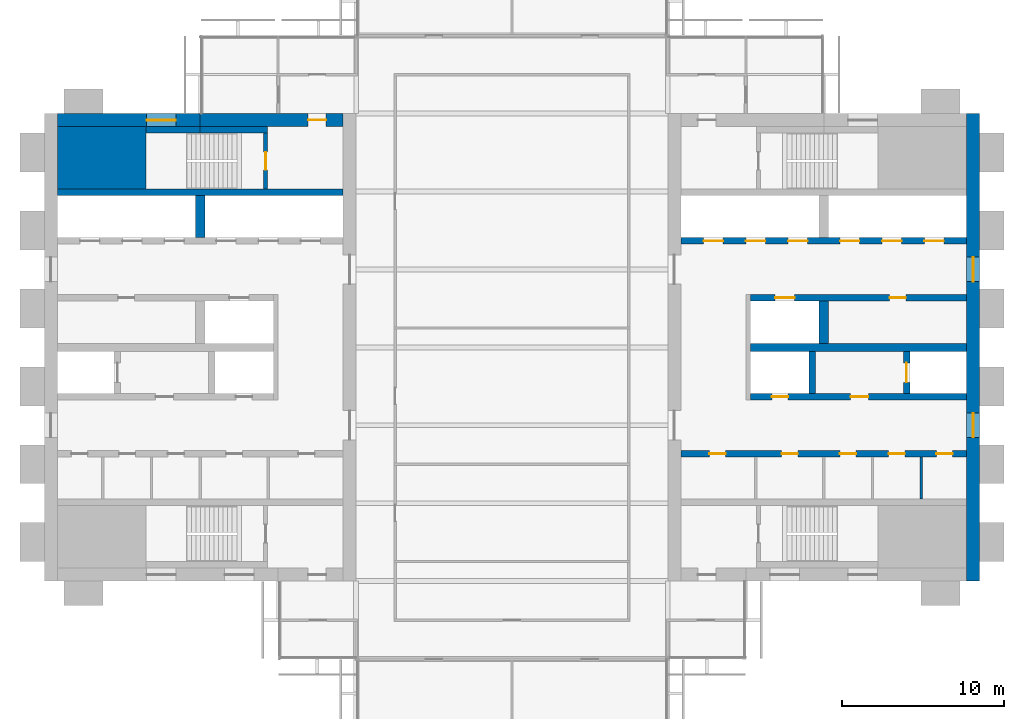
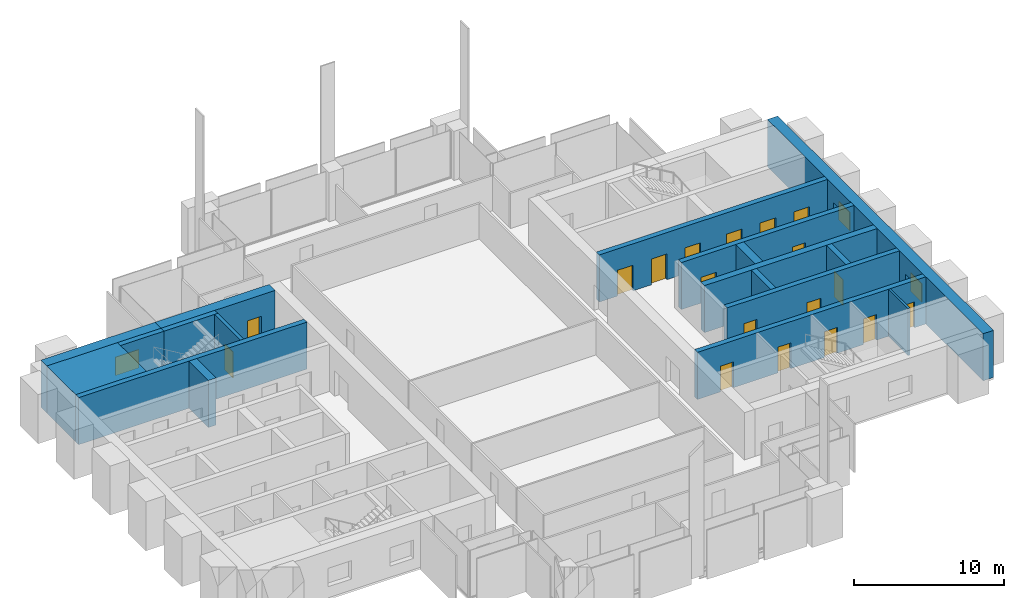
# One storey, part 10 of 13: 18 doors, 18 walls, 3 windows, 21 openings.
"""IFC4 building model written with IfcOpenShell, lengths in metres."""

import ifcopenshell
import ifcopenshell.guid

model = None  # the IFC model being written
_history = None  # IfcOwnerHistory: only IFC2X3 demands one
_inside = {}  # id of a spatial element -> (the spatial element, [elements in it])
_under = {}  # id of a project, library or spatial element -> (it, [spatial elements below it])
_declared = {}  # id of a project -> (the project, [libraries it declares])
_typed = {}  # id of a type object -> (the type object, [elements of that type])
_made_of = {}  # id of a material, layer set ... -> (it, [elements and type objects made of it])


def new_model(schema):
    """Start an empty IFC model of exactly this schema.

    Asked for "IFC4X3", IfcOpenShell would pick the latest addendum, in which some entities
    have other attributes; the version numbers below select the first issue.
    IFC2X3 requires an IfcOwnerHistory on every rooted entity: one is made here for all.
    """
    global model, _history
    if schema == "IFC4X3":
        model = ifcopenshell.file(schema_version=(4, 3, 0, 0))
    else:
        model = ifcopenshell.file(schema=schema)
    _inside.clear()
    _under.clear()
    _declared.clear()
    _typed.clear()
    _made_of.clear()
    _history = None
    if model.schema == "IFC2X3":
        org = make("IfcOrganization", Name="unknown")
        user = make(
            "IfcPersonAndOrganization",
            ThePerson=make("IfcPerson", FamilyName="unknown"),
            TheOrganization=org,
        )
        app = make(
            "IfcApplication",
            ApplicationDeveloper=org,
            Version="unknown",
            ApplicationFullName="unknown",
            ApplicationIdentifier="unknown",
        )
        _history = make(
            "IfcOwnerHistory",
            OwningUser=user,
            OwningApplication=app,
            ChangeAction="ADDED",
            CreationDate=0,
        )
    return model


def make(cls, **values):
    """One entity of the class cls with the attributes given. An attribute that is None is left unset."""
    return model.create_entity(
        cls, **{name: value for name, value in values.items() if value is not None}
    )


def rooted(cls, **values):
    """An entity with a GlobalId (a new one), such as an element, a storey or a relation."""
    return make(cls, GlobalId=ifcopenshell.guid.new(), OwnerHistory=_history, **values)


def si_unit(unit_type, name, prefix=None):
    """IfcSIUnit, for example si_unit("LENGTHUNIT", "METRE", prefix="MILLI")."""
    return make("IfcSIUnit", UnitType=unit_type, Prefix=prefix, Name=name)


def assignment(units):
    """IfcUnitAssignment: the units of a project."""
    return None if units is None else make("IfcUnitAssignment", Units=units)


def point(xyz):
    """IfcCartesianPoint."""
    return None if xyz is None else make("IfcCartesianPoint", Coordinates=xyz)


def direction(xyz):
    """IfcDirection."""
    return None if xyz is None else make("IfcDirection", DirectionRatios=xyz)


def frame(location, z_axis=None, x_axis=None):
    """IfcAxis2Placement3D, a coordinate frame: its origin and axes. An axis left out is left unset."""
    return make(
        "IfcAxis2Placement3D",
        Location=point(location),
        Axis=direction(z_axis),
        RefDirection=direction(x_axis),
    )


def frame_2d(location, x_axis=None):
    """IfcAxis2Placement2D, a coordinate frame in the plane: its origin and x axis."""
    return make(
        "IfcAxis2Placement2D", Location=point(location), RefDirection=direction(x_axis)
    )


def origin():
    """The frame at (0, 0, 0) with its axes left unset."""
    return frame((0.0, 0.0, 0.0))


def place(relative_to, where):
    """IfcLocalPlacement: puts the frame where relative to a parent placement (None: the world)."""
    return make(
        "IfcLocalPlacement", PlacementRelTo=relative_to, RelativePlacement=where
    )


def context(
    kind, dimensions, precision=None, world=None, true_north=None, identifier=None
):
    """IfcGeometricRepresentationContext, for example the 3D "Model" context."""
    return make(
        "IfcGeometricRepresentationContext",
        ContextIdentifier=identifier,
        ContextType=kind,
        CoordinateSpaceDimension=dimensions,
        Precision=precision,
        WorldCoordinateSystem=world,
        TrueNorth=true_north,
    )


def subcontext(parent, identifier, kind, view, scale=None):
    """IfcGeometricRepresentationSubContext, for example "Body" below "Model"."""
    return make(
        "IfcGeometricRepresentationSubContext",
        ContextIdentifier=identifier,
        ContextType=kind,
        ParentContext=parent,
        TargetScale=scale,
        TargetView=view,
    )


def project(units=None, contexts=None):
    """IfcProject with its units and contexts."""
    return rooted(
        "IfcProject",
        Name="project",
        RepresentationContexts=contexts,
        UnitsInContext=assignment(units),
    )


def spatial(cls, under=None, at=None, **own):
    """A site, building, storey or space (cls), placed at a placement, below another one or the project."""
    s = rooted(cls, ObjectPlacement=at, **own)
    if under is not None:
        _under.setdefault(under.id(), (under, []))[1].append(s)
    return s


def profile(cls, at=None, kind="AREA", **sizes):
    """A parametric profile (cls). Its sizes go by their IFC names, for example OverallWidth=200.0."""
    return make(cls, ProfileType=kind, Position=at, **sizes)


def rectangle(**sizes):
    """IfcRectangleProfileDef."""
    return profile("IfcRectangleProfileDef", **sizes)


def extrude(swept, where, along, depth):
    """IfcExtrudedAreaSolid: the profile swept, set in the frame where, extruded along a direction by depth."""
    return make(
        "IfcExtrudedAreaSolid",
        SweptArea=swept,
        Position=where,
        ExtrudedDirection=direction(along),
        Depth=depth,
    )


def shape(context_of_items, identifier, shape_type, items):
    """IfcShapeRepresentation: the items that make up one representation, for example the "Body"."""
    return make(
        "IfcShapeRepresentation",
        ContextOfItems=context_of_items,
        RepresentationIdentifier=identifier,
        RepresentationType=shape_type,
        Items=items,
    )


def material(Name=None, Category=None):
    """IfcMaterial."""
    return make("IfcMaterial", Name=Name, Category=Category)


def layer(
    of_material, thickness, ventilated=None, Name=None, Category=None, Priority=None
):
    """IfcMaterialLayer: one layer of a wall or slab, of a material (None: an air gap)."""
    return make(
        "IfcMaterialLayer",
        Material=of_material,
        LayerThickness=thickness,
        IsVentilated=ventilated,
        Name=Name,
        Category=Category,
        Priority=Priority,
    )


def layer_set(layers, Name=None):
    """IfcMaterialLayerSet."""
    return make("IfcMaterialLayerSet", MaterialLayers=layers, LayerSetName=Name)


def made_of(thing, what):
    """Note that an element or type object is made of a material, layer set ...; save() writes the relation."""
    if what is not None:
        _made_of.setdefault(what.id(), (what, []))[1].append(thing)
    return thing


def type_object(cls, material=None, **own):
    """A type object (cls), such as IfcWallType, which elements share."""
    return made_of(rooted(cls, **own), material)


def element(
    cls,
    number,
    at=None,
    inside=None,
    cuts=None,
    type_object=None,
    material=None,
    context=None,
    identifier="Body",
    shape_type=None,
    held_by="IfcProductDefinitionShape",
    body=None,
    shapes=None,
    **own,
):
    """One element of the class cls, such as IfcWall. Its Tag is "e" and its number.

    at: its placement. inside: the storey or other place that contains it. cuts: it is an
    opening in that element (IfcRelVoidsElement). A single representation is given by context,
    identifier, shape_type and body (its items); several are given by shapes. held_by: the class
    of the entity that holds the representations. save() writes the other relations.
    """
    e = rooted(cls, Tag="e%d" % number, ObjectPlacement=at, **own)
    if body is not None:
        shapes = [shape(context, identifier, shape_type, body)]
    if shapes is not None:
        e.Representation = make(held_by, Representations=shapes)
    if inside is not None:
        _inside.setdefault(inside.id(), (inside, []))[1].append(e)
    if cuts is not None:
        rooted(
            "IfcRelVoidsElement", RelatingBuildingElement=cuts, RelatedOpeningElement=e
        )
    if type_object is not None:
        _typed.setdefault(type_object.id(), (type_object, []))[1].append(e)
    return made_of(e, material)


def fill(opening, filler):
    """IfcRelFillsElement: the door or window that sits in an opening."""
    return rooted(
        "IfcRelFillsElement",
        RelatingOpeningElement=opening,
        RelatedBuildingElement=filler,
    )


def aggregate(whole, parts):
    """IfcRelAggregates: a whole, such as a stair, and the parts it consists of."""
    return rooted("IfcRelAggregates", RelatingObject=whole, RelatedObjects=parts)


def save(model, path):
    """Write the relations noted so far, then the file.

    IfcRelAggregates (storeys below a building ...), IfcRelContainedInSpatialStructure (elements
    in a storey), IfcRelDefinesByType, IfcRelAssociatesMaterial and IfcRelDeclares: one each for
    every whole, place, type object, material and project.
    """
    for whole, parts in _under.values():
        aggregate(whole, parts)
    for where, things in _inside.values():
        rooted(
            "IfcRelContainedInSpatialStructure",
            RelatedElements=things,
            RelatingStructure=where,
        )
    for kind, things in _typed.values():
        rooted("IfcRelDefinesByType", RelatedObjects=things, RelatingType=kind)
    for what, things in _made_of.values():
        rooted("IfcRelAssociatesMaterial", RelatedObjects=things, RelatingMaterial=what)
    for by, libraries in _declared.values():
        rooted("IfcRelDeclares", RelatingContext=by, RelatedDefinitions=libraries)
    model.write(path)


model = new_model("IFC4")

# Units and contexts
model_context = context("Model", 3, precision=1e-05, world=origin(), true_north=direction((0.0, 1.0)))
body_context = subcontext(model_context, "Body", "Model", "MODEL_VIEW")
ifc_project = project(units=[si_unit("LENGTHUNIT", "METRE"), si_unit("AREAUNIT", "SQUARE_METRE"), si_unit("VOLUMEUNIT", "CUBIC_METRE"), si_unit("PLANEANGLEUNIT", "RADIAN"), si_unit("MASSUNIT", "GRAM", prefix="KILO")], contexts=[model_context])

# Site, building, storey
site_placement = place(None, origin())
site = spatial("IfcSite", under=ifc_project, at=site_placement, CompositionType="ELEMENT")
building_placement = place(site_placement, origin())
building = spatial("IfcBuilding", under=site, at=building_placement, Name="Baori Bourse Tower", CompositionType="ELEMENT")
storey_placement = place(building_placement, frame((0.0, 0.0, 249.199951171875)))
storey = spatial("IfcBuildingStorey", under=building, at=storey_placement, Name="L55", CompositionType="ELEMENT", Elevation=249.199951171875)

# Walls
ifc_material_1 = material(Name="Concrete f'c 50 MPa", Category="concrete")
wall_type_1 = type_object("IfcWallType", Name="Core corner block f'c 50", PredefinedType="SHEAR", material=ifc_material_1)
wall_1_placement = place(storey_placement, frame((0.800048828125, 35.675048828125, 0.0), z_axis=(0.0, 0.0, 1.0), x_axis=(1.0, 0.0, 0.0)))
element("IfcWall", 1, at=wall_1_placement, inside=storey, type_object=wall_type_1, Name="Core wall W24", PredefinedType="SHEAR", context=body_context, shape_type="SweptSolid", body=[
    extrude(rectangle(XDim=5.449951171875, YDim=3.85009765625, at=frame_2d((2.72509765625, 0.0))), origin(), (0.0, 0.0, 1.0), 3.840087890625),
])
ifc_material_2 = material(Name="Blockwork partition", Category="masonry")
ifc_layer_1 = layer(ifc_material_2, 0.14990234375)
ifc_layer_set_1 = layer_set([ifc_layer_1], Name="Core partition 150")
wall_type_2 = type_object("IfcWallType", Name="Core partition 150", PredefinedType="PARTITIONING", material=ifc_layer_set_1)
wall_2_placement = place(storey_placement, frame((54.0, 14.64990234375, 0.0), z_axis=(0.0, 0.0, 1.0), x_axis=(0.0, 1.0, 0.0)))
element("IfcWall", 2, at=wall_2_placement, inside=storey, type_object=wall_type_2, Name="Partition wall E09", PredefinedType="PARTITIONING", context=body_context, shape_type="SweptSolid", body=[
    extrude(rectangle(XDim=2.60009765625, YDim=0.14990234375, at=frame_2d((1.300048828125, 0.0))), origin(), (0.0, 0.0, 1.0), 3.840087890625),
])

# Wall, opening, window
ifc_material_3 = material(Name="Concrete f'c 50 MPa", Category="concrete")
ifc_layer_2 = layer(ifc_material_3, 0.800048828125)
ifc_layer_set_2 = layer_set([ifc_layer_2], Name="Core wall 800 f'c 50")
wall_type_3 = type_object("IfcWallType", Name="Core wall 800 f'c 50", PredefinedType="SHEAR", material=ifc_layer_set_2)
wall_3_placement = place(storey_placement, frame((0.800048828125, 38.0, 0.0), z_axis=(0.0, 0.0, 1.0), x_axis=(1.0, 0.0, 0.0)))
wall_3 = element("IfcWall", 3, at=wall_3_placement, inside=storey, type_object=wall_type_3, Name="Core wall W28", PredefinedType="SHEAR", context=body_context, shape_type="SweptSolid", body=[
    extrude(rectangle(XDim=8.800048828125, YDim=0.800048828125, at=frame_2d((4.39990234375, 0.0))), origin(), (0.0, 0.0, 1.0), 3.840087890625),
])
opening_1_placement = place(wall_3_placement, frame((5.5, 0.0, 0.89990234375)))
opening_1 = element("IfcOpeningElement", 4, at=opening_1_placement, cuts=wall_3, Name="Opening L55-KW105", PredefinedType="OPENING", context=body_context, shape_type="SweptSolid", body=[
    extrude(rectangle(XDim=1.800048828125, YDim=1.5, at=frame_2d((0.89990234375, 0.75))), frame((0.0, 0.409912109375, 0.0), z_axis=(0.0, -1.0, 0.0), x_axis=(1.0, 0.0, 0.0)), (0.0, 0.0, 1.0), 0.820068359375),
])
ifc_material_4 = material(Name="Pale anodised aluminium", Category="aluminium")
window_type_1 = type_object("IfcWindowType", Name="Stair window 1800 x 1500", PartitioningType="SINGLE_PANEL", PredefinedType="WINDOW", material=ifc_material_4)
window_1_placement = place(opening_1_placement, origin())
window_1 = element("IfcWindow", 5, at=window_1_placement, inside=storey, type_object=window_type_1, Name="Stair window W L55 5", OverallHeight=1.5, OverallWidth=1.800048828125, PartitioningType="SINGLE_PANEL", PredefinedType="WINDOW", context=body_context, shape_type="SweptSolid", body=[
    extrude(rectangle(XDim=1.800048828125, YDim=1.5, at=frame_2d((0.89990234375, 0.75))), frame((0.0, 0.030029296875, 0.0), z_axis=(0.0, -1.0, 0.0), x_axis=(1.0, 0.0, 0.0)), (0.0, 0.0, 1.0), 0.06005859375),
])
fill(opening_1, window_1)

# Wall, opening, door
wall_4_placement = place(storey_placement, frame((9.60009765625, 38.0, 0.0), z_axis=(0.0, 0.0, 1.0), x_axis=(1.0, 0.0, 0.0)))
wall_4 = element("IfcWall", 6, at=wall_4_placement, inside=storey, type_object=wall_type_3, Name="Core wall W29", PredefinedType="SHEAR", context=body_context, shape_type="SweptSolid", body=[
    extrude(rectangle(XDim=8.7998046875, YDim=0.800048828125, at=frame_2d((4.39990234375, 0.0))), origin(), (0.0, 0.0, 1.0), 3.840087890625),
])
opening_2_placement = place(wall_4_placement, frame((6.64990234375, 0.0, 0.0)))
opening_2 = element("IfcOpeningElement", 7, at=opening_2_placement, cuts=wall_4, Name="Opening L55-D104", PredefinedType="OPENING", context=body_context, shape_type="SweptSolid", body=[
    extrude(rectangle(XDim=1.10009765625, YDim=2.10009765625, at=frame_2d((0.550048828125, 1.050048828125))), frame((0.0, 0.409912109375, 0.0), z_axis=(0.0, -1.0, 0.0), x_axis=(1.0, 0.0, 0.0)), (0.0, 0.0, 1.0), 0.820068359375),
])
ifc_material_5 = material(Name="Painted steel door", Category="steel")
door_type_1 = type_object("IfcDoorType", Name="Stair door 1100", OperationType="SINGLE_SWING_LEFT", PredefinedType="DOOR", material=ifc_material_5)
door_1_placement = place(opening_2_placement, origin())
door_1 = element("IfcDoor", 8, at=door_1_placement, inside=storey, type_object=door_type_1, Name="Stair vestibule door B W L55", OperationType="SINGLE_SWING_LEFT", OverallHeight=2.10009765625, OverallWidth=1.10009765625, PredefinedType="DOOR", context=body_context, shape_type="SweptSolid", body=[
    extrude(rectangle(XDim=1.10009765625, YDim=2.10009765625, at=frame_2d((0.550048828125, 1.050048828125))), frame((0.0, 0.02490234375, 0.0), z_axis=(0.0, -1.0, 0.0), x_axis=(1.0, 0.0, 0.0)), (0.0, 0.0, 1.0), 0.050048828125),
])
fill(opening_2, door_1)

# Wall, openings, windows
wall_5_placement = place(storey_placement, frame((57.199951171875, 38.39990234375, 0.0), z_axis=(0.0, 0.0, 1.0), x_axis=(0.0, -1.0, 0.0)))
wall_5 = element("IfcWall", 9, at=wall_5_placement, inside=storey, type_object=wall_type_3, Name="Core wall E01", PredefinedType="SHEAR", context=body_context, shape_type="SweptSolid", body=[
    extrude(rectangle(XDim=28.7998046875, YDim=0.800048828125, at=frame_2d((14.39990234375, 0.0))), origin(), (0.0, 0.0, 1.0), 3.840087890625),
])
opening_3_placement = place(wall_5_placement, frame((18.449951171875, 0.0, 0.89990234375)))
opening_3 = element("IfcOpeningElement", 10, at=opening_3_placement, cuts=wall_5, Name="Opening L55-KW201", PredefinedType="OPENING", context=body_context, shape_type="SweptSolid", body=[
    extrude(rectangle(XDim=1.5, YDim=1.5, at=frame_2d((0.75, 0.75))), frame((0.0, 0.409912109375, 0.0), z_axis=(0.0, -1.0, 0.0), x_axis=(1.0, 0.0, 0.0)), (0.0, 0.0, 1.0), 0.820068359375),
])
opening_4_placement = place(wall_5_placement, frame((8.85009765625, 0.0, 0.89990234375)))
opening_4 = element("IfcOpeningElement", 11, at=opening_4_placement, cuts=wall_5, Name="Opening L55-KW202", PredefinedType="OPENING", context=body_context, shape_type="SweptSolid", body=[
    extrude(rectangle(XDim=1.5, YDim=1.5, at=frame_2d((0.75, 0.75))), frame((0.0, 0.409912109375, 0.0), z_axis=(0.0, -1.0, 0.0), x_axis=(1.0, 0.0, 0.0)), (0.0, 0.0, 1.0), 0.820068359375),
])
ifc_material_6 = material(Name="Pale anodised aluminium", Category="aluminium")
window_type_2 = type_object("IfcWindowType", Name="Lobby window 1500 x 1500", PartitioningType="SINGLE_PANEL", PredefinedType="WINDOW", material=ifc_material_6)
window_2_placement = place(opening_3_placement, origin())
window_2 = element("IfcWindow", 12, at=window_2_placement, inside=storey, type_object=window_type_2, Name="Outer wall window E L55 1", OverallHeight=1.5, OverallWidth=1.5, PartitioningType="SINGLE_PANEL", PredefinedType="WINDOW", context=body_context, shape_type="SweptSolid", body=[
    extrude(rectangle(XDim=1.5, YDim=1.5, at=frame_2d((0.75, 0.75))), frame((0.0, 0.030029296875, 0.0), z_axis=(0.0, -1.0, 0.0), x_axis=(1.0, 0.0, 0.0)), (0.0, 0.0, 1.0), 0.06005859375),
])
fill(opening_3, window_2)
window_3_placement = place(opening_4_placement, origin())
window_3 = element("IfcWindow", 13, at=window_3_placement, inside=storey, type_object=window_type_2, Name="Outer wall window E L55 2", OverallHeight=1.5, OverallWidth=1.5, PartitioningType="SINGLE_PANEL", PredefinedType="WINDOW", context=body_context, shape_type="SweptSolid", body=[
    extrude(rectangle(XDim=1.5, YDim=1.5, at=frame_2d((0.75, 0.75))), frame((0.0, 0.030029296875, 0.0), z_axis=(0.0, -1.0, 0.0), x_axis=(1.0, 0.0, 0.0)), (0.0, 0.0, 1.0), 0.06005859375),
])
fill(opening_4, window_3)

# Wall, opening, door
ifc_material_7 = material(Name="Concrete f'c 50 MPa", Category="concrete")
ifc_layer_3 = layer(ifc_material_7, 0.25)
ifc_layer_set_3 = layer_set([ifc_layer_3], Name="Shaft wall 250 f'c 50")
wall_type_4 = type_object("IfcWallType", Name="Shaft wall 250 f'c 50", PredefinedType="SHEAR", material=ifc_layer_set_3)
wall_6_placement = place(storey_placement, frame((13.625, 33.75, 0.0), z_axis=(0.0, 0.0, 1.0), x_axis=(0.0, 1.0, 0.0)))
wall_6 = element("IfcWall", 14, at=wall_6_placement, inside=storey, type_object=wall_type_4, Name="Core wall W25", PredefinedType="SHEAR", context=body_context, shape_type="SweptSolid", body=[
    extrude(rectangle(XDim=3.449951171875, YDim=0.25, at=frame_2d((1.72509765625, 0.0))), origin(), (0.0, 0.0, 1.0), 3.840087890625),
])
opening_5_placement = place(wall_6_placement, frame((1.175048828125, 0.0, 0.0)))
opening_5 = element("IfcOpeningElement", 15, at=opening_5_placement, cuts=wall_6, Name="Opening L55-D103", PredefinedType="OPENING", context=body_context, shape_type="SweptSolid", body=[
    extrude(rectangle(XDim=1.10009765625, YDim=2.10009765625, at=frame_2d((0.550048828125, 1.050048828125))), frame((0.0, 0.135009765625, 0.0), z_axis=(0.0, -1.0, 0.0), x_axis=(1.0, 0.0, 0.0)), (0.0, 0.0, 1.0), 0.27001953125),
])
door_2_placement = place(opening_5_placement, origin())
door_2 = element("IfcDoor", 16, at=door_2_placement, inside=storey, type_object=door_type_1, Name="Stair door B W L55", OperationType="SINGLE_SWING_LEFT", OverallHeight=2.10009765625, OverallWidth=1.10009765625, PredefinedType="DOOR", context=body_context, shape_type="SweptSolid", body=[
    extrude(rectangle(XDim=1.10009765625, YDim=2.10009765625, at=frame_2d((0.550048828125, 1.050048828125))), frame((0.0, 0.02490234375, 0.0), z_axis=(0.0, -1.0, 0.0), x_axis=(1.0, 0.0, 0.0)), (0.0, 0.0, 1.0), 0.050048828125),
])
fill(opening_5, door_2)

# Walls
ifc_material_8 = material(Name="Concrete f'c 50 MPa", Category="concrete")
ifc_layer_4 = layer(ifc_material_8, 0.39990234375)
ifc_layer_set_4 = layer_set([ifc_layer_4], Name="Shaft wall 400 f'c 50")
wall_type_5 = type_object("IfcWallType", Name="Shaft wall 400 f'c 50", PredefinedType="SHEAR", material=ifc_layer_set_4)
wall_7_placement = place(storey_placement, frame((0.800048828125, 33.550048828125, 0.0), z_axis=(0.0, 0.0, 1.0), x_axis=(1.0, 0.0, 0.0)))
element("IfcWall", 17, at=wall_7_placement, inside=storey, type_object=wall_type_5, Name="Core wall W23", PredefinedType="SHEAR", context=body_context, shape_type="SweptSolid", body=[
    extrude(rectangle(XDim=17.599853515625, YDim=0.39990234375, at=frame_2d((8.7998046875, 0.0))), origin(), (0.0, 0.0, 1.0), 3.840087890625),
])
wall_8_placement = place(storey_placement, frame((6.25, 37.39990234375, 0.0), z_axis=(0.0, 0.0, 1.0), x_axis=(1.0, 0.0, 0.0)))
element("IfcWall", 18, at=wall_8_placement, inside=storey, type_object=wall_type_5, Name="Core wall W26", PredefinedType="SHEAR", context=body_context, shape_type="SweptSolid", body=[
    extrude(rectangle(XDim=3.35009765625, YDim=0.39990234375, at=frame_2d((1.675048828125, 0.0))), origin(), (0.0, 0.0, 1.0), 3.840087890625),
])
wall_9_placement = place(storey_placement, frame((9.60009765625, 37.39990234375, 0.0), z_axis=(0.0, 0.0, 1.0), x_axis=(1.0, 0.0, 0.0)))
element("IfcWall", 19, at=wall_9_placement, inside=storey, type_object=wall_type_5, Name="Core wall W27", PredefinedType="SHEAR", context=body_context, shape_type="SweptSolid", body=[
    extrude(rectangle(XDim=4.14990234375, YDim=0.39990234375, at=frame_2d((2.074951171875, 0.0))), origin(), (0.0, 0.0, 1.0), 3.840087890625),
])

# Wall, openings, doors
wall_10_placement = place(storey_placement, frame((39.199951171875, 17.449951171875, 0.0), z_axis=(0.0, 0.0, 1.0), x_axis=(1.0, 0.0, 0.0)))
wall_10 = element("IfcWall", 20, at=wall_10_placement, inside=storey, type_object=wall_type_5, Name="Core wall E13", PredefinedType="SHEAR", context=body_context, shape_type="SweptSolid", body=[
    extrude(rectangle(XDim=17.60009765625, YDim=0.39990234375, at=frame_2d((8.800048828125, 0.0))), origin(), (0.0, 0.0, 1.0), 3.840087890625),
])
opening_6_placement = place(wall_10_placement, frame((15.737548828125, 0.0, 0.0)))
opening_6 = element("IfcOpeningElement", 21, at=opening_6_placement, cuts=wall_10, Name="Opening L55-D209", PredefinedType="OPENING", context=body_context, shape_type="SweptSolid", body=[
    extrude(rectangle(XDim=1.0, YDim=2.10009765625, at=frame_2d((0.5, 1.050048828125))), frame((0.0, 0.2099609375, 0.0), z_axis=(0.0, -1.0, 0.0), x_axis=(1.0, 0.0, 0.0)), (0.0, 0.0, 1.0), 0.419921875),
])
opening_7_placement = place(wall_10_placement, frame((12.800048828125, 0.0, 0.0)))
opening_7 = element("IfcOpeningElement", 22, at=opening_7_placement, cuts=wall_10, Name="Opening L55-D210", PredefinedType="OPENING", context=body_context, shape_type="SweptSolid", body=[
    extrude(rectangle(XDim=1.0, YDim=2.10009765625, at=frame_2d((0.5, 1.050048828125))), frame((0.0, 0.2099609375, 0.0), z_axis=(0.0, -1.0, 0.0), x_axis=(1.0, 0.0, 0.0)), (0.0, 0.0, 1.0), 0.419921875),
])
opening_8_placement = place(wall_10_placement, frame((9.800048828125, 0.0, 0.0)))
opening_8 = element("IfcOpeningElement", 23, at=opening_8_placement, cuts=wall_10, Name="Opening L55-D211", PredefinedType="OPENING", context=body_context, shape_type="SweptSolid", body=[
    extrude(rectangle(XDim=1.0, YDim=2.10009765625, at=frame_2d((0.5, 1.050048828125))), frame((0.0, 0.2099609375, 0.0), z_axis=(0.0, -1.0, 0.0), x_axis=(1.0, 0.0, 0.0)), (0.0, 0.0, 1.0), 0.419921875),
])
opening_9_placement = place(wall_10_placement, frame((6.199951171875, 0.0, 0.0)))
opening_9 = element("IfcOpeningElement", 24, at=opening_9_placement, cuts=wall_10, Name="Opening L55-D212", PredefinedType="OPENING", context=body_context, shape_type="SweptSolid", body=[
    extrude(rectangle(XDim=1.0, YDim=2.10009765625, at=frame_2d((0.5, 1.050048828125))), frame((0.0, 0.2099609375, 0.0), z_axis=(0.0, -1.0, 0.0), x_axis=(1.0, 0.0, 0.0)), (0.0, 0.0, 1.0), 0.419921875),
])
opening_10_placement = place(wall_10_placement, frame((1.762451171875, 0.0, 0.0)))
opening_10 = element("IfcOpeningElement", 25, at=opening_10_placement, cuts=wall_10, Name="Opening L55-D213", PredefinedType="OPENING", context=body_context, shape_type="SweptSolid", body=[
    extrude(rectangle(XDim=1.0, YDim=2.10009765625, at=frame_2d((0.5, 1.050048828125))), frame((0.0, 0.2099609375, 0.0), z_axis=(0.0, -1.0, 0.0), x_axis=(1.0, 0.0, 0.0)), (0.0, 0.0, 1.0), 0.419921875),
])
ifc_material_9 = material(Name="Painted steel door", Category="steel")
door_type_2 = type_object("IfcDoorType", Name="Core door 1000", OperationType="SINGLE_SWING_LEFT", PredefinedType="DOOR", material=ifc_material_9)
door_3_placement = place(opening_6_placement, origin())
door_3 = element("IfcDoor", 26, at=door_3_placement, inside=storey, type_object=door_type_2, Name="Janitor'S Closet door E L55", OperationType="SINGLE_SWING_LEFT", OverallHeight=2.10009765625, OverallWidth=1.0, PredefinedType="DOOR", context=body_context, shape_type="SweptSolid", body=[
    extrude(rectangle(XDim=1.0, YDim=2.10009765625, at=frame_2d((0.5, 1.050048828125))), frame((0.0, 0.02490234375, 0.0), z_axis=(0.0, -1.0, 0.0), x_axis=(1.0, 0.0, 0.0)), (0.0, 0.0, 1.0), 0.050048828125),
])
fill(opening_6, door_3)
door_4_placement = place(opening_7_placement, origin())
door_4 = element("IfcDoor", 27, at=door_4_placement, inside=storey, type_object=door_type_2, Name="Accessible Wc door E L55", OperationType="SINGLE_SWING_LEFT", OverallHeight=2.10009765625, OverallWidth=1.0, PredefinedType="DOOR", context=body_context, shape_type="SweptSolid", body=[
    extrude(rectangle(XDim=1.0, YDim=2.10009765625, at=frame_2d((0.5, 1.050048828125))), frame((0.0, 0.02490234375, 0.0), z_axis=(0.0, -1.0, 0.0), x_axis=(1.0, 0.0, 0.0)), (0.0, 0.0, 1.0), 0.050048828125),
])
fill(opening_7, door_4)
door_5_placement = place(opening_9_placement, origin())
door_5 = element("IfcDoor", 28, at=door_5_placement, inside=storey, type_object=door_type_2, Name="Men'S Wc door E L55", OperationType="SINGLE_SWING_LEFT", OverallHeight=2.10009765625, OverallWidth=1.0, PredefinedType="DOOR", context=body_context, shape_type="SweptSolid", body=[
    extrude(rectangle(XDim=1.0, YDim=2.10009765625, at=frame_2d((0.5, 1.050048828125))), frame((0.0, 0.02490234375, 0.0), z_axis=(0.0, -1.0, 0.0), x_axis=(1.0, 0.0, 0.0)), (0.0, 0.0, 1.0), 0.050048828125),
])
fill(opening_9, door_5)
door_6_placement = place(opening_10_placement, origin())
door_6 = element("IfcDoor", 29, at=door_6_placement, inside=storey, type_object=door_type_2, Name="Women'S Wc door E L55", OperationType="SINGLE_SWING_LEFT", OverallHeight=2.10009765625, OverallWidth=1.0, PredefinedType="DOOR", context=body_context, shape_type="SweptSolid", body=[
    extrude(rectangle(XDim=1.0, YDim=2.10009765625, at=frame_2d((0.5, 1.050048828125))), frame((0.0, 0.02490234375, 0.0), z_axis=(0.0, -1.0, 0.0), x_axis=(1.0, 0.0, 0.0)), (0.0, 0.0, 1.0), 0.050048828125),
])
fill(opening_10, door_6)
ifc_material_10 = material(Name="Painted steel door", Category="steel")
door_type_3 = type_object("IfcDoorType", Name="Plant room door 1000", OperationType="SINGLE_SWING_LEFT", PredefinedType="DOOR", material=ifc_material_10)
door_7_placement = place(opening_8_placement, origin())
door_7 = element("IfcDoor", 30, at=door_7_placement, inside=storey, type_object=door_type_3, Name="Plumbing Equipment Room door E L55", OperationType="SINGLE_SWING_LEFT", OverallHeight=2.10009765625, OverallWidth=1.0, PredefinedType="DOOR", context=body_context, shape_type="SweptSolid", body=[
    extrude(rectangle(XDim=1.0, YDim=2.10009765625, at=frame_2d((0.5, 1.050048828125))), frame((0.0, 0.02490234375, 0.0), z_axis=(0.0, -1.0, 0.0), x_axis=(1.0, 0.0, 0.0)), (0.0, 0.0, 1.0), 0.050048828125),
])
fill(opening_8, door_7)

wall_11_placement = place(storey_placement, frame((43.5, 20.949951171875, 0.0), z_axis=(0.0, 0.0, 1.0), x_axis=(1.0, 0.0, 0.0)))
wall_11 = element("IfcWall", 31, at=wall_11_placement, inside=storey, type_object=wall_type_5, Name="Core wall E14", PredefinedType="SHEAR", context=body_context, shape_type="SweptSolid", body=[
    extrude(rectangle(XDim=13.300048828125, YDim=0.39990234375, at=frame_2d((6.64990234375, 0.0))), origin(), (0.0, 0.0, 1.0), 3.840087890625),
])
opening_11_placement = place(wall_11_placement, frame((6.14990234375, 0.0, 0.0)))
opening_11 = element("IfcOpeningElement", 32, at=opening_11_placement, cuts=wall_11, Name="Opening L55-D205", PredefinedType="OPENING", context=body_context, shape_type="SweptSolid", body=[
    extrude(rectangle(XDim=1.10009765625, YDim=2.10009765625, at=frame_2d((0.550048828125, 1.050048828125))), frame((0.0, 0.2099609375, 0.0), z_axis=(0.0, -1.0, 0.0), x_axis=(1.0, 0.0, 0.0)), (0.0, 0.0, 1.0), 0.419921875),
])
opening_12_placement = place(wall_11_placement, frame((1.300048828125, 0.0, 0.0)))
opening_12 = element("IfcOpeningElement", 33, at=opening_12_placement, cuts=wall_11, Name="Opening L55-D206", PredefinedType="OPENING", context=body_context, shape_type="SweptSolid", body=[
    extrude(rectangle(XDim=1.0, YDim=2.10009765625, at=frame_2d((0.5, 1.050048828125))), frame((0.0, 0.2099609375, 0.0), z_axis=(0.0, -1.0, 0.0), x_axis=(1.0, 0.0, 0.0)), (0.0, 0.0, 1.0), 0.419921875),
])
ifc_material_11 = material(Name="Painted steel door", Category="steel")
door_type_4 = type_object("IfcDoorType", Name="Lobby door 1100", OperationType="SINGLE_SWING_LEFT", PredefinedType="DOOR", material=ifc_material_11)
door_8_placement = place(opening_11_placement, origin())
door_8 = element("IfcDoor", 34, at=door_8_placement, inside=storey, type_object=door_type_4, Name="Firefighting lobby door E L55", OperationType="SINGLE_SWING_LEFT", OverallHeight=2.10009765625, OverallWidth=1.10009765625, PredefinedType="DOOR", context=body_context, shape_type="SweptSolid", body=[
    extrude(rectangle(XDim=1.10009765625, YDim=2.10009765625, at=frame_2d((0.550048828125, 1.050048828125))), frame((0.0, 0.02490234375, 0.0), z_axis=(0.0, -1.0, 0.0), x_axis=(1.0, 0.0, 0.0)), (0.0, 0.0, 1.0), 0.050048828125),
])
fill(opening_11, door_8)
ifc_material_12 = material(Name="Painted steel door", Category="steel")
door_type_5 = type_object("IfcDoorType", Name="Shaft door 1000", OperationType="SINGLE_SWING_LEFT", PredefinedType="DOOR", material=ifc_material_12)
door_9_placement = place(opening_12_placement, origin())
door_9 = element("IfcDoor", 35, at=door_9_placement, inside=storey, type_object=door_type_5, Name="Riser room door E L55", OperationType="SINGLE_SWING_LEFT", OverallHeight=2.10009765625, OverallWidth=1.0, PredefinedType="DOOR", context=body_context, shape_type="SweptSolid", body=[
    extrude(rectangle(XDim=1.0, YDim=2.10009765625, at=frame_2d((0.5, 1.050048828125))), frame((0.0, 0.02490234375, 0.0), z_axis=(0.0, -1.0, 0.0), x_axis=(1.0, 0.0, 0.0)), (0.0, 0.0, 1.0), 0.050048828125),
])
fill(opening_12, door_9)

# Wall, opening, door
wall_12_placement = place(storey_placement, frame((53.10009765625, 21.14990234375, 0.0), z_axis=(0.0, 0.0, 1.0), x_axis=(0.0, 1.0, 0.0)))
wall_12 = element("IfcWall", 36, at=wall_12_placement, inside=storey, type_object=wall_type_5, Name="Core wall E16", PredefinedType="SHEAR", context=body_context, shape_type="SweptSolid", body=[
    extrude(rectangle(XDim=2.60009765625, YDim=0.39990234375, at=frame_2d((1.300048828125, 0.0))), origin(), (0.0, 0.0, 1.0), 3.840087890625),
])
opening_13_placement = place(wall_12_placement, frame((0.699951171875, 0.0, 0.0)))
opening_13 = element("IfcOpeningElement", 37, at=opening_13_placement, cuts=wall_12, Name="Opening L55-D222", PredefinedType="OPENING", context=body_context, shape_type="SweptSolid", body=[
    extrude(rectangle(XDim=1.199951171875, YDim=2.10009765625, at=frame_2d((0.60009765625, 1.050048828125))), frame((0.0, 0.2099609375, 0.0), z_axis=(0.0, -1.0, 0.0), x_axis=(1.0, 0.0, 0.0)), (0.0, 0.0, 1.0), 0.419921875),
])
ifc_material_13 = material(Name="Stainless steel door", Category="steel")
door_type_6 = type_object("IfcDoorType", Name="Lift landing door", OperationType="DOUBLE_DOOR_SLIDING", PredefinedType="DOOR", material=ifc_material_13)
door_10_placement = place(opening_13_placement, origin())
door_10 = element("IfcDoor", 38, at=door_10_placement, inside=storey, type_object=door_type_6, Name="Lift landing door FF2 E L55", OperationType="DOUBLE_DOOR_SLIDING", OverallHeight=2.10009765625, OverallWidth=1.199951171875, PredefinedType="DOOR", context=body_context, shape_type="SweptSolid", body=[
    extrude(rectangle(XDim=1.199951171875, YDim=2.10009765625, at=frame_2d((0.60009765625, 1.050048828125))), frame((0.0, 0.02490234375, 0.0), z_axis=(0.0, -1.0, 0.0), x_axis=(1.0, 0.0, 0.0)), (0.0, 0.0, 1.0), 0.050048828125),
])
fill(opening_13, door_10)

# Wall
wall_13_placement = place(storey_placement, frame((47.300048828125, 21.14990234375, 0.0), z_axis=(0.0, 0.0, 1.0), x_axis=(0.0, 1.0, 0.0)))
element("IfcWall", 39, at=wall_13_placement, inside=storey, type_object=wall_type_5, Name="Core wall E17", PredefinedType="SHEAR", context=body_context, shape_type="SweptSolid", body=[
    extrude(rectangle(XDim=2.60009765625, YDim=0.39990234375, at=frame_2d((1.300048828125, 0.0))), origin(), (0.0, 0.0, 1.0), 3.840087890625),
])

# Wall, openings, doors
wall_14_placement = place(storey_placement, frame((43.5, 27.050048828125, 0.0), z_axis=(0.0, 0.0, 1.0), x_axis=(1.0, 0.0, 0.0)))
wall_14 = element("IfcWall", 40, at=wall_14_placement, inside=storey, type_object=wall_type_5, Name="Core wall E20", PredefinedType="SHEAR", context=body_context, shape_type="SweptSolid", body=[
    extrude(rectangle(XDim=13.300048828125, YDim=0.39990234375, at=frame_2d((6.64990234375, 0.0))), origin(), (0.0, 0.0, 1.0), 3.840087890625),
])
opening_14_placement = place(wall_14_placement, frame((8.550048828125, 0.0, 0.0)))
opening_14 = element("IfcOpeningElement", 41, at=opening_14_placement, cuts=wall_14, Name="Opening L55-D214", PredefinedType="OPENING", context=body_context, shape_type="SweptSolid", body=[
    extrude(rectangle(XDim=1.0, YDim=2.10009765625, at=frame_2d((0.5, 1.050048828125))), frame((0.0, 0.2099609375, 0.0), z_axis=(0.0, -1.0, 0.0), x_axis=(1.0, 0.0, 0.0)), (0.0, 0.0, 1.0), 0.419921875),
])
opening_15_placement = place(wall_14_placement, frame((1.5, 0.0, 0.0)))
opening_15 = element("IfcOpeningElement", 42, at=opening_15_placement, cuts=wall_14, Name="Opening L55-D221", PredefinedType="OPENING", context=body_context, shape_type="SweptSolid", body=[
    extrude(rectangle(XDim=1.199951171875, YDim=2.10009765625, at=frame_2d((0.60009765625, 1.050048828125))), frame((0.0, 0.2099609375, 0.0), z_axis=(0.0, -1.0, 0.0), x_axis=(1.0, 0.0, 0.0)), (0.0, 0.0, 1.0), 0.419921875),
])
door_11_placement = place(opening_14_placement, origin())
door_11 = element("IfcDoor", 43, at=door_11_placement, inside=storey, type_object=door_type_2, Name="Copy Room door E L55", OperationType="SINGLE_SWING_LEFT", OverallHeight=2.10009765625, OverallWidth=1.0, PredefinedType="DOOR", context=body_context, shape_type="SweptSolid", body=[
    extrude(rectangle(XDim=1.0, YDim=2.10009765625, at=frame_2d((0.5, 1.050048828125))), frame((0.0, 0.02490234375, 0.0), z_axis=(0.0, -1.0, 0.0), x_axis=(1.0, 0.0, 0.0)), (0.0, 0.0, 1.0), 0.050048828125),
])
fill(opening_14, door_11)
door_12_placement = place(opening_15_placement, origin())
door_12 = element("IfcDoor", 44, at=door_12_placement, inside=storey, type_object=door_type_6, Name="Lift landing door SV1 E L55", OperationType="DOUBLE_DOOR_SLIDING", OverallHeight=2.10009765625, OverallWidth=1.199951171875, PredefinedType="DOOR", context=body_context, shape_type="SweptSolid", body=[
    extrude(rectangle(XDim=1.199951171875, YDim=2.10009765625, at=frame_2d((0.60009765625, 1.050048828125))), frame((0.0, 0.02490234375, 0.0), z_axis=(0.0, -1.0, 0.0), x_axis=(1.0, 0.0, 0.0)), (0.0, 0.0, 1.0), 0.050048828125),
])
fill(opening_15, door_12)

wall_15_placement = place(storey_placement, frame((39.199951171875, 30.550048828125, 0.0), z_axis=(0.0, 0.0, 1.0), x_axis=(1.0, 0.0, 0.0)))
wall_15 = element("IfcWall", 45, at=wall_15_placement, inside=storey, type_object=wall_type_5, Name="Core wall E21", PredefinedType="SHEAR", context=body_context, shape_type="SweptSolid", body=[
    extrude(rectangle(XDim=17.60009765625, YDim=0.39990234375, at=frame_2d((8.800048828125, 0.0))), origin(), (0.0, 0.0, 1.0), 3.840087890625),
])
opening_16_placement = place(wall_15_placement, frame((15.0, 0.0, 0.0)))
opening_16 = element("IfcOpeningElement", 46, at=opening_16_placement, cuts=wall_15, Name="Opening L55-D215", PredefinedType="OPENING", context=body_context, shape_type="SweptSolid", body=[
    extrude(rectangle(XDim=1.199951171875, YDim=2.10009765625, at=frame_2d((0.60009765625, 1.050048828125))), frame((0.0, 0.2099609375, 0.0), z_axis=(0.0, -1.0, 0.0), x_axis=(1.0, 0.0, 0.0)), (0.0, 0.0, 1.0), 0.419921875),
])
opening_17_placement = place(wall_15_placement, frame((12.39990234375, 0.0, 0.0)))
opening_17 = element("IfcOpeningElement", 47, at=opening_17_placement, cuts=wall_15, Name="Opening L55-D216", PredefinedType="OPENING", context=body_context, shape_type="SweptSolid", body=[
    extrude(rectangle(XDim=1.199951171875, YDim=2.10009765625, at=frame_2d((0.60009765625, 1.050048828125))), frame((0.0, 0.2099609375, 0.0), z_axis=(0.0, -1.0, 0.0), x_axis=(1.0, 0.0, 0.0)), (0.0, 0.0, 1.0), 0.419921875),
])
opening_18_placement = place(wall_15_placement, frame((9.800048828125, 0.0, 0.0)))
opening_18 = element("IfcOpeningElement", 48, at=opening_18_placement, cuts=wall_15, Name="Opening L55-D217", PredefinedType="OPENING", context=body_context, shape_type="SweptSolid", body=[
    extrude(rectangle(XDim=1.199951171875, YDim=2.10009765625, at=frame_2d((0.60009765625, 1.050048828125))), frame((0.0, 0.2099609375, 0.0), z_axis=(0.0, -1.0, 0.0), x_axis=(1.0, 0.0, 0.0)), (0.0, 0.0, 1.0), 0.419921875),
])
opening_19_placement = place(wall_15_placement, frame((6.60009765625, 0.0, 0.0)))
opening_19 = element("IfcOpeningElement", 49, at=opening_19_placement, cuts=wall_15, Name="Opening L55-D218", PredefinedType="OPENING", context=body_context, shape_type="SweptSolid", body=[
    extrude(rectangle(XDim=1.199951171875, YDim=2.10009765625, at=frame_2d((0.60009765625, 1.050048828125))), frame((0.0, 0.2099609375, 0.0), z_axis=(0.0, -1.0, 0.0), x_axis=(1.0, 0.0, 0.0)), (0.0, 0.0, 1.0), 0.419921875),
])
opening_20_placement = place(wall_15_placement, frame((4.0, 0.0, 0.0)))
opening_20 = element("IfcOpeningElement", 50, at=opening_20_placement, cuts=wall_15, Name="Opening L55-D219", PredefinedType="OPENING", context=body_context, shape_type="SweptSolid", body=[
    extrude(rectangle(XDim=1.199951171875, YDim=2.10009765625, at=frame_2d((0.60009765625, 1.050048828125))), frame((0.0, 0.2099609375, 0.0), z_axis=(0.0, -1.0, 0.0), x_axis=(1.0, 0.0, 0.0)), (0.0, 0.0, 1.0), 0.419921875),
])
opening_21_placement = place(wall_15_placement, frame((1.39990234375, 0.0, 0.0)))
opening_21 = element("IfcOpeningElement", 51, at=opening_21_placement, cuts=wall_15, Name="Opening L55-D220", PredefinedType="OPENING", context=body_context, shape_type="SweptSolid", body=[
    extrude(rectangle(XDim=1.199951171875, YDim=2.10009765625, at=frame_2d((0.60009765625, 1.050048828125))), frame((0.0, 0.2099609375, 0.0), z_axis=(0.0, -1.0, 0.0), x_axis=(1.0, 0.0, 0.0)), (0.0, 0.0, 1.0), 0.419921875),
])
door_13_placement = place(opening_16_placement, origin())
door_13 = element("IfcDoor", 52, at=door_13_placement, inside=storey, type_object=door_type_6, Name="Lift landing door HR1 E L55", OperationType="DOUBLE_DOOR_SLIDING", OverallHeight=2.10009765625, OverallWidth=1.199951171875, PredefinedType="DOOR", context=body_context, shape_type="SweptSolid", body=[
    extrude(rectangle(XDim=1.199951171875, YDim=2.10009765625, at=frame_2d((0.60009765625, 1.050048828125))), frame((0.0, 0.02490234375, 0.0), z_axis=(0.0, -1.0, 0.0), x_axis=(1.0, 0.0, 0.0)), (0.0, 0.0, 1.0), 0.050048828125),
])
fill(opening_16, door_13)
door_14_placement = place(opening_17_placement, origin())
door_14 = element("IfcDoor", 53, at=door_14_placement, inside=storey, type_object=door_type_6, Name="Lift landing door HR2 E L55", OperationType="DOUBLE_DOOR_SLIDING", OverallHeight=2.10009765625, OverallWidth=1.199951171875, PredefinedType="DOOR", context=body_context, shape_type="SweptSolid", body=[
    extrude(rectangle(XDim=1.199951171875, YDim=2.10009765625, at=frame_2d((0.60009765625, 1.050048828125))), frame((0.0, 0.02490234375, 0.0), z_axis=(0.0, -1.0, 0.0), x_axis=(1.0, 0.0, 0.0)), (0.0, 0.0, 1.0), 0.050048828125),
])
fill(opening_17, door_14)
door_15_placement = place(opening_18_placement, origin())
door_15 = element("IfcDoor", 54, at=door_15_placement, inside=storey, type_object=door_type_6, Name="Lift landing door HR3 E L55", OperationType="DOUBLE_DOOR_SLIDING", OverallHeight=2.10009765625, OverallWidth=1.199951171875, PredefinedType="DOOR", context=body_context, shape_type="SweptSolid", body=[
    extrude(rectangle(XDim=1.199951171875, YDim=2.10009765625, at=frame_2d((0.60009765625, 1.050048828125))), frame((0.0, 0.02490234375, 0.0), z_axis=(0.0, -1.0, 0.0), x_axis=(1.0, 0.0, 0.0)), (0.0, 0.0, 1.0), 0.050048828125),
])
fill(opening_18, door_15)
door_16_placement = place(opening_19_placement, origin())
door_16 = element("IfcDoor", 55, at=door_16_placement, inside=storey, type_object=door_type_6, Name="Lift landing door HR4 E L55", OperationType="DOUBLE_DOOR_SLIDING", OverallHeight=2.10009765625, OverallWidth=1.199951171875, PredefinedType="DOOR", context=body_context, shape_type="SweptSolid", body=[
    extrude(rectangle(XDim=1.199951171875, YDim=2.10009765625, at=frame_2d((0.60009765625, 1.050048828125))), frame((0.0, 0.02490234375, 0.0), z_axis=(0.0, -1.0, 0.0), x_axis=(1.0, 0.0, 0.0)), (0.0, 0.0, 1.0), 0.050048828125),
])
fill(opening_19, door_16)
door_17_placement = place(opening_20_placement, origin())
door_17 = element("IfcDoor", 56, at=door_17_placement, inside=storey, type_object=door_type_6, Name="Lift landing door HR5 E L55", OperationType="DOUBLE_DOOR_SLIDING", OverallHeight=2.10009765625, OverallWidth=1.199951171875, PredefinedType="DOOR", context=body_context, shape_type="SweptSolid", body=[
    extrude(rectangle(XDim=1.199951171875, YDim=2.10009765625, at=frame_2d((0.60009765625, 1.050048828125))), frame((0.0, 0.02490234375, 0.0), z_axis=(0.0, -1.0, 0.0), x_axis=(1.0, 0.0, 0.0)), (0.0, 0.0, 1.0), 0.050048828125),
])
fill(opening_20, door_17)
door_18_placement = place(opening_21_placement, origin())
door_18 = element("IfcDoor", 57, at=door_18_placement, inside=storey, type_object=door_type_6, Name="Lift landing door HR6 E L55", OperationType="DOUBLE_DOOR_SLIDING", OverallHeight=2.10009765625, OverallWidth=1.199951171875, PredefinedType="DOOR", context=body_context, shape_type="SweptSolid", body=[
    extrude(rectangle(XDim=1.199951171875, YDim=2.10009765625, at=frame_2d((0.60009765625, 1.050048828125))), frame((0.0, 0.02490234375, 0.0), z_axis=(0.0, -1.0, 0.0), x_axis=(1.0, 0.0, 0.0)), (0.0, 0.0, 1.0), 0.050048828125),
])
fill(opening_21, door_18)

# Walls
ifc_material_14 = material(Name="Concrete f'c 50 MPa", Category="concrete")
ifc_layer_5 = layer(ifc_material_14, 0.5)
ifc_layer_set_5 = layer_set([ifc_layer_5], Name="Shaft wall 500 f'c 50")
wall_type_6 = type_object("IfcWallType", Name="Shaft wall 500 f'c 50", PredefinedType="SHEAR", material=ifc_layer_set_5)
wall_16_placement = place(storey_placement, frame((43.5, 24.0, 0.0), z_axis=(0.0, 0.0, 1.0), x_axis=(1.0, 0.0, 0.0)))
element("IfcWall", 58, at=wall_16_placement, inside=storey, type_object=wall_type_6, Name="Core wall E18", PredefinedType="SHEAR", context=body_context, shape_type="SweptSolid", body=[
    extrude(rectangle(XDim=13.300048828125, YDim=0.5, at=frame_2d((6.64990234375, 0.0))), origin(), (0.0, 0.0, 1.0), 3.840087890625),
])
ifc_material_15 = material(Name="Concrete f'c 50 MPa", Category="concrete")
ifc_layer_6 = layer(ifc_material_15, 0.60009765625)
ifc_layer_set_6 = layer_set([ifc_layer_6], Name="Shaft wall 600 f'c 50")
wall_type_7 = type_object("IfcWallType", Name="Shaft wall 600 f'c 50", PredefinedType="SHEAR", material=ifc_layer_set_6)
for number, where, z_axis, x_axis, name in (
    (59, (9.60009765625, 30.75, 0.0), (0.0, 0.0, 1.0), (0.0, 1.0, 0.0), "Core wall W22"),
    (60, (48.0, 24.25, 0.0), (0.0, 0.0, 1.0), (0.0, 1.0, 0.0), "Core wall E19"),
):
    element("IfcWall", number, at=place(storey_placement, frame(where, z_axis=z_axis, x_axis=x_axis)), inside=storey, type_object=wall_type_7, Name=name, PredefinedType="SHEAR", context=body_context, shape_type="SweptSolid", body=[
        extrude(rectangle(XDim=2.60009765625, YDim=0.60009765625, at=frame_2d((1.300048828125, 0.0))), origin(), (0.0, 0.0, 1.0), 3.840087890625),
    ])

save(model, "model.ifc")
